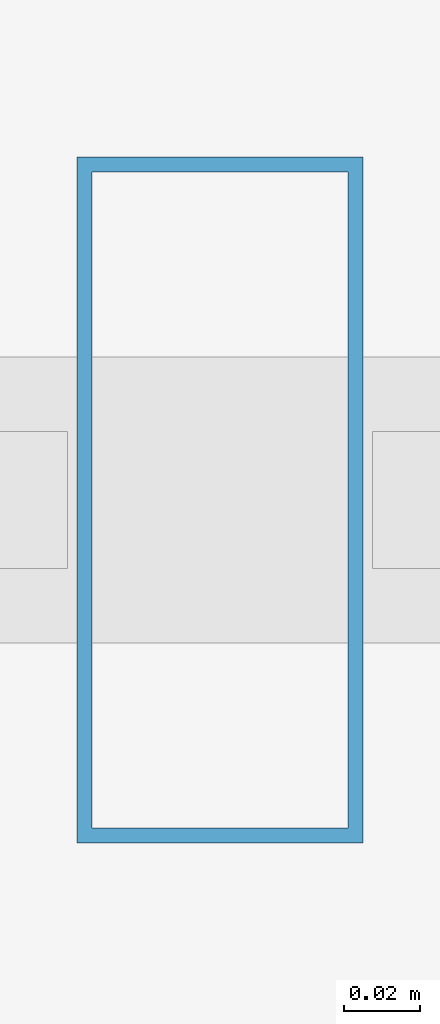
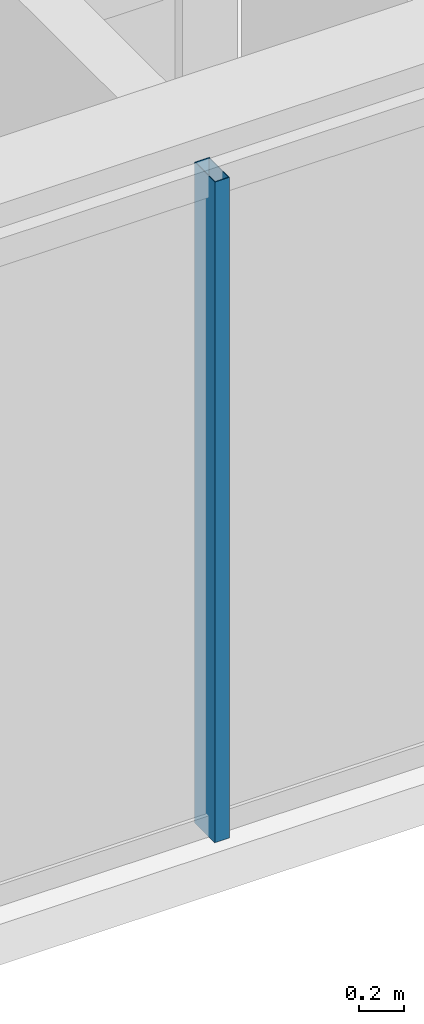
# One storey, part 3 of 32: 1 member, 1 element without a shape of its own.
"""IFC4 building model written with IfcOpenShell, lengths in metres."""

import ifcopenshell
import ifcopenshell.guid

model = None  # the IFC model being written
_history = None  # IfcOwnerHistory: only IFC2X3 demands one
_inside = {}  # id of a spatial element -> (the spatial element, [elements in it])
_under = {}  # id of a project, library or spatial element -> (it, [spatial elements below it])
_declared = {}  # id of a project -> (the project, [libraries it declares])
_typed = {}  # id of a type object -> (the type object, [elements of that type])
_made_of = {}  # id of a material, layer set ... -> (it, [elements and type objects made of it])


def new_model(schema):
    """Start an empty IFC model of exactly this schema.

    Asked for "IFC4X3", IfcOpenShell would pick the latest addendum, in which some entities
    have other attributes; the version numbers below select the first issue.
    IFC2X3 requires an IfcOwnerHistory on every rooted entity: one is made here for all.
    """
    global model, _history
    if schema == "IFC4X3":
        model = ifcopenshell.file(schema_version=(4, 3, 0, 0))
    else:
        model = ifcopenshell.file(schema=schema)
    _inside.clear()
    _under.clear()
    _declared.clear()
    _typed.clear()
    _made_of.clear()
    _history = None
    if model.schema == "IFC2X3":
        org = make("IfcOrganization", Name="unknown")
        user = make(
            "IfcPersonAndOrganization",
            ThePerson=make("IfcPerson", FamilyName="unknown"),
            TheOrganization=org,
        )
        app = make(
            "IfcApplication",
            ApplicationDeveloper=org,
            Version="unknown",
            ApplicationFullName="unknown",
            ApplicationIdentifier="unknown",
        )
        _history = make(
            "IfcOwnerHistory",
            OwningUser=user,
            OwningApplication=app,
            ChangeAction="ADDED",
            CreationDate=0,
        )
    return model


def make(cls, **values):
    """One entity of the class cls with the attributes given. An attribute that is None is left unset."""
    return model.create_entity(
        cls, **{name: value for name, value in values.items() if value is not None}
    )


def rooted(cls, **values):
    """An entity with a GlobalId (a new one), such as an element, a storey or a relation."""
    return make(cls, GlobalId=ifcopenshell.guid.new(), OwnerHistory=_history, **values)


def si_unit(unit_type, name, prefix=None):
    """IfcSIUnit, for example si_unit("LENGTHUNIT", "METRE", prefix="MILLI")."""
    return make("IfcSIUnit", UnitType=unit_type, Prefix=prefix, Name=name)


def assignment(units):
    """IfcUnitAssignment: the units of a project."""
    return None if units is None else make("IfcUnitAssignment", Units=units)


def point(xyz):
    """IfcCartesianPoint."""
    return None if xyz is None else make("IfcCartesianPoint", Coordinates=xyz)


def direction(xyz):
    """IfcDirection."""
    return None if xyz is None else make("IfcDirection", DirectionRatios=xyz)


def frame(location, z_axis=None, x_axis=None):
    """IfcAxis2Placement3D, a coordinate frame: its origin and axes. An axis left out is left unset."""
    return make(
        "IfcAxis2Placement3D",
        Location=point(location),
        Axis=direction(z_axis),
        RefDirection=direction(x_axis),
    )


def frame_2d(location, x_axis=None):
    """IfcAxis2Placement2D, a coordinate frame in the plane: its origin and x axis."""
    return make(
        "IfcAxis2Placement2D", Location=point(location), RefDirection=direction(x_axis)
    )


def origin():
    """The frame at (0, 0, 0) with its axes left unset."""
    return frame((0.0, 0.0, 0.0))


def origin_2d():
    """The frame at (0, 0) in the plane with its x axis left unset."""
    return frame_2d((0.0, 0.0))


def place(relative_to, where):
    """IfcLocalPlacement: puts the frame where relative to a parent placement (None: the world)."""
    return make(
        "IfcLocalPlacement", PlacementRelTo=relative_to, RelativePlacement=where
    )


def context(
    kind, dimensions, precision=None, world=None, true_north=None, identifier=None
):
    """IfcGeometricRepresentationContext, for example the 3D "Model" context."""
    return make(
        "IfcGeometricRepresentationContext",
        ContextIdentifier=identifier,
        ContextType=kind,
        CoordinateSpaceDimension=dimensions,
        Precision=precision,
        WorldCoordinateSystem=world,
        TrueNorth=true_north,
    )


def subcontext(parent, identifier, kind, view, scale=None):
    """IfcGeometricRepresentationSubContext, for example "Body" below "Model"."""
    return make(
        "IfcGeometricRepresentationSubContext",
        ContextIdentifier=identifier,
        ContextType=kind,
        ParentContext=parent,
        TargetScale=scale,
        TargetView=view,
    )


def project(units=None, contexts=None):
    """IfcProject with its units and contexts."""
    return rooted(
        "IfcProject",
        Name="project",
        RepresentationContexts=contexts,
        UnitsInContext=assignment(units),
    )


def spatial(cls, under=None, at=None, **own):
    """A site, building, storey or space (cls), placed at a placement, below another one or the project."""
    s = rooted(cls, ObjectPlacement=at, **own)
    if under is not None:
        _under.setdefault(under.id(), (under, []))[1].append(s)
    return s


def profile(cls, at=None, kind="AREA", **sizes):
    """A parametric profile (cls). Its sizes go by their IFC names, for example OverallWidth=200.0."""
    return make(cls, ProfileType=kind, Position=at, **sizes)


def hollow_rectangle(**sizes):
    """IfcRectangleHollowProfileDef."""
    return profile("IfcRectangleHollowProfileDef", **sizes)


def extrude(swept, where, along, depth):
    """IfcExtrudedAreaSolid: the profile swept, set in the frame where, extruded along a direction by depth."""
    return make(
        "IfcExtrudedAreaSolid",
        SweptArea=swept,
        Position=where,
        ExtrudedDirection=direction(along),
        Depth=depth,
    )


def shape(context_of_items, identifier, shape_type, items):
    """IfcShapeRepresentation: the items that make up one representation, for example the "Body"."""
    return make(
        "IfcShapeRepresentation",
        ContextOfItems=context_of_items,
        RepresentationIdentifier=identifier,
        RepresentationType=shape_type,
        Items=items,
    )


def material(Name=None, Category=None):
    """IfcMaterial."""
    return make("IfcMaterial", Name=Name, Category=Category)


def layer(
    of_material, thickness, ventilated=None, Name=None, Category=None, Priority=None
):
    """IfcMaterialLayer: one layer of a wall or slab, of a material (None: an air gap)."""
    return make(
        "IfcMaterialLayer",
        Material=of_material,
        LayerThickness=thickness,
        IsVentilated=ventilated,
        Name=Name,
        Category=Category,
        Priority=Priority,
    )


def layer_set(layers, Name=None):
    """IfcMaterialLayerSet."""
    return make("IfcMaterialLayerSet", MaterialLayers=layers, LayerSetName=Name)


def material_profile(
    of_material, cross_section, Name=None, Category=None, Priority=None
):
    """IfcMaterialProfile: a cross section and its material."""
    return make(
        "IfcMaterialProfile",
        Name=Name,
        Material=of_material,
        Profile=cross_section,
        Priority=Priority,
        Category=Category,
    )


def profile_set(profiles, Name=None, composite=None):
    """IfcMaterialProfileSet."""
    return make(
        "IfcMaterialProfileSet",
        Name=Name,
        MaterialProfiles=profiles,
        CompositeProfile=composite,
    )


def made_of(thing, what):
    """Note that an element or type object is made of a material, layer set ...; save() writes the relation."""
    if what is not None:
        _made_of.setdefault(what.id(), (what, []))[1].append(thing)
    return thing


def type_object(cls, material=None, **own):
    """A type object (cls), such as IfcWallType, which elements share."""
    return made_of(rooted(cls, **own), material)


def element(
    cls,
    number,
    at=None,
    inside=None,
    cuts=None,
    type_object=None,
    material=None,
    context=None,
    identifier="Body",
    shape_type=None,
    held_by="IfcProductDefinitionShape",
    body=None,
    shapes=None,
    **own,
):
    """One element of the class cls, such as IfcWall. Its Tag is "e" and its number.

    at: its placement. inside: the storey or other place that contains it. cuts: it is an
    opening in that element (IfcRelVoidsElement). A single representation is given by context,
    identifier, shape_type and body (its items); several are given by shapes. held_by: the class
    of the entity that holds the representations. save() writes the other relations.
    """
    e = rooted(cls, Tag="e%d" % number, ObjectPlacement=at, **own)
    if body is not None:
        shapes = [shape(context, identifier, shape_type, body)]
    if shapes is not None:
        e.Representation = make(held_by, Representations=shapes)
    if inside is not None:
        _inside.setdefault(inside.id(), (inside, []))[1].append(e)
    if cuts is not None:
        rooted(
            "IfcRelVoidsElement", RelatingBuildingElement=cuts, RelatedOpeningElement=e
        )
    if type_object is not None:
        _typed.setdefault(type_object.id(), (type_object, []))[1].append(e)
    return made_of(e, material)


def aggregate(whole, parts):
    """IfcRelAggregates: a whole, such as a stair, and the parts it consists of."""
    return rooted("IfcRelAggregates", RelatingObject=whole, RelatedObjects=parts)


def save(model, path):
    """Write the relations noted so far, then the file.

    IfcRelAggregates (storeys below a building ...), IfcRelContainedInSpatialStructure (elements
    in a storey), IfcRelDefinesByType, IfcRelAssociatesMaterial and IfcRelDeclares: one each for
    every whole, place, type object, material and project.
    """
    for whole, parts in _under.values():
        aggregate(whole, parts)
    for where, things in _inside.values():
        rooted(
            "IfcRelContainedInSpatialStructure",
            RelatedElements=things,
            RelatingStructure=where,
        )
    for kind, things in _typed.values():
        rooted("IfcRelDefinesByType", RelatedObjects=things, RelatingType=kind)
    for what, things in _made_of.values():
        rooted("IfcRelAssociatesMaterial", RelatedObjects=things, RelatingMaterial=what)
    for by, libraries in _declared.values():
        rooted("IfcRelDeclares", RelatingContext=by, RelatedDefinitions=libraries)
    model.write(path)


model = new_model("IFC4")

# Units and contexts
model_context = context("Model", 3, precision=1e-05, world=origin(), true_north=direction((0.0, 1.0)))
body_context = subcontext(model_context, "Body", "Model", "MODEL_VIEW")
ifc_project = project(units=[si_unit("LENGTHUNIT", "METRE"), si_unit("AREAUNIT", "SQUARE_METRE"), si_unit("VOLUMEUNIT", "CUBIC_METRE"), si_unit("PLANEANGLEUNIT", "RADIAN"), si_unit("MASSUNIT", "GRAM", prefix="KILO")], contexts=[model_context])

# Site, building, storey
site_placement = place(None, origin())
site = spatial("IfcSite", under=ifc_project, at=site_placement, CompositionType="ELEMENT")
building_placement = place(site_placement, origin())
building = spatial("IfcBuilding", under=site, at=building_placement, Name="Ndaravel Arena Tower", CompositionType="ELEMENT")
storey_placement = place(building_placement, frame((0.0, 0.0, 77.800048828125)))
storey = spatial("IfcBuildingStorey", under=building, at=storey_placement, Name="L17", CompositionType="ELEMENT", Elevation=77.800048828125)

# Curtain wall, member
ifc_material_1 = material(Name="Aluminium", Category="aluminium")
ifc_layer = layer(ifc_material_1, 0.179931640625)
ifc_layer_set = layer_set([ifc_layer], Name="Aluminium")
curtain_wall_type = type_object("IfcCurtainWallType", Name="CW-SYS-03", PredefinedType="NOTDEFINED", material=ifc_layer_set)
curtain_wall_placement = place(storey_placement, origin())
curtain_wall = element("IfcCurtainWall", 1, at=curtain_wall_placement, inside=storey, type_object=curtain_wall_type, Name="L17 Faceted Crystal Curtain Wall CW-L17-E01", PredefinedType="NOTDEFINED")
ifc_material_2 = material(Name="Aluminium", Category="aluminium")
ifc_material_profile = material_profile(ifc_material_2, hollow_rectangle(XDim=0.074951171875, YDim=0.179931640625, WallThickness=0.00390625, at=origin_2d()), Name="CW MULLION 75x180x4")
ifc_profile_set = profile_set([ifc_material_profile], Name="Aluminium")
member_type = type_object("IfcMemberType", Name="MEM-CW-MUL180", PredefinedType="MULLION", material=ifc_profile_set)
member_placement = place(storey_placement, frame((30.560791015625, 5.159912109375, 0.0), z_axis=(0.0, 0.0, 1.0), x_axis=(1.0, 0.0, 0.0)))
member = element("IfcMember", 2, at=member_placement, type_object=member_type, Name="CW-L17-E01 Mullion 01", PredefinedType="MULLION", context=body_context, shape_type="SweptSolid", body=[
    extrude(hollow_rectangle(XDim=0.074951171875, YDim=0.179931640625, WallThickness=0.00390625, at=origin_2d()), origin(), (0.0, 0.0, 1.0), 3.579833984375),
])
aggregate(curtain_wall, [member])

save(model, "model.ifc")
